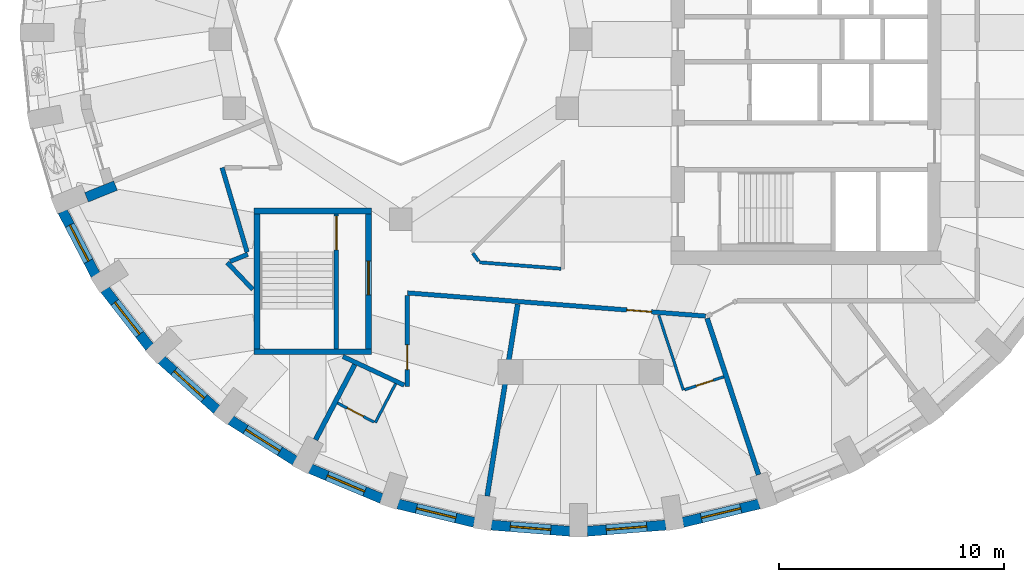
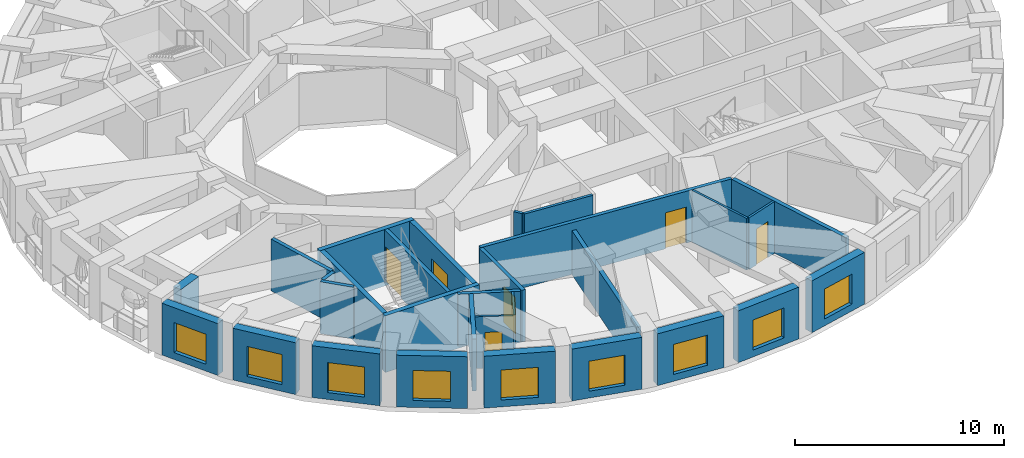
# One storey, part 3 of 12: 30 walls, 9 windows, 6 doors, 15 openings.
"""IFC4 building model written with IfcOpenShell, lengths in metres."""

from ifc_helpers import new_model, si_unit, direction, frame, frame_2d, origin, place, context, subcontext, project, spatial, rectangle, extrude, material, layer, layer_set, type_object, element, fill, save


model = new_model("IFC4")

# Units and contexts
model_context = context("Model", 3, precision=1e-05, world=origin(), true_north=direction((0.0, 1.0)))
body_context = subcontext(model_context, "Body", "Model", "MODEL_VIEW")
ifc_project = project(units=[si_unit("LENGTHUNIT", "METRE"), si_unit("AREAUNIT", "SQUARE_METRE"), si_unit("VOLUMEUNIT", "CUBIC_METRE"), si_unit("PLANEANGLEUNIT", "RADIAN"), si_unit("MASSUNIT", "GRAM", prefix="KILO")], contexts=[model_context])

# Site, building, storey
site_placement = place(None, origin())
site = spatial("IfcSite", under=ifc_project, at=site_placement, CompositionType="ELEMENT")
building_placement = place(site_placement, origin())
building = spatial("IfcBuilding", under=site, at=building_placement, Name="Taillehof Tower", CompositionType="ELEMENT")
storey_placement = place(building_placement, frame((0.0, 0.0, 239.89990234375)))
storey = spatial("IfcBuildingStorey", under=building, at=storey_placement, Name="L68", CompositionType="ELEMENT", Elevation=239.89990234375)

# Wall, opening, window
ifc_material_1 = material(Name="Brick masonry", Category="masonry")
ifc_layer_1 = layer(ifc_material_1, 0.449951171875)
ifc_layer_set_1 = layer_set([ifc_layer_1], Name="Brick infill wall 450")
wall_type_1 = type_object("IfcWallType", Name="Brick infill wall 450", PredefinedType="SOLIDWALL", material=ifc_layer_set_1)
wall_1_placement = place(storey_placement, frame((-23.010009765625, -7.6396484375, 0.0), z_axis=(0.0, 0.0, 1.0), x_axis=(0.459921155255, -0.887959757505, 0.0)))
wall_1 = element("IfcWall", 1, at=wall_1_placement, inside=storey, type_object=wall_type_1, Name="Brick wall L68 bay 21", PredefinedType="SOLIDWALL", context=body_context, shape_type="SweptSolid", body=[
    extrude(rectangle(XDim=3.185546875, YDim=0.449951171875, at=frame_2d((1.5927734375, 0.0))), origin(), (0.0, 0.0, 1.0), 3.02001953125),
])
opening_1_placement = place(wall_1_placement, frame((0.69287109375, 0.0, 0.39990234375)))
opening_1 = element("IfcOpeningElement", 2, at=opening_1_placement, cuts=wall_1, Name="Opening W4", PredefinedType="OPENING", context=body_context, shape_type="SweptSolid", body=[
    extrude(rectangle(XDim=1.800048828125, YDim=1.75, at=frame_2d((0.89990234375, 0.875))), frame((0.0, 0.23486328125, 0.0), z_axis=(0.0, -1.0, 0.0), x_axis=(1.0, 0.0, 0.0)), (0.0, 0.0, 1.0), 0.469970703125),
])
ifc_material_2 = material(Name="Aluminium window frame with clear double glazing", Category="aluminium")
window_type = type_object("IfcWindowType", Name="Deep-set window 1800x1750", PartitioningType="SINGLE_PANEL", PredefinedType="WINDOW", material=ifc_material_2)
window_1_placement = place(opening_1_placement, origin())
window_1 = element("IfcWindow", 3, at=window_1_placement, inside=storey, type_object=window_type, Name="W4", OverallHeight=1.75, OverallWidth=1.800048828125, PartitioningType="SINGLE_PANEL", PredefinedType="WINDOW", context=body_context, shape_type="SweptSolid", body=[
    extrude(rectangle(XDim=1.800048828125, YDim=1.75, at=frame_2d((0.89990234375, 0.875))), frame((0.0, 0.034912109375, 0.0), z_axis=(0.0, -1.0, 0.0), x_axis=(1.0, 0.0, 0.0)), (0.0, 0.0, 1.0), 0.06005859375),
])
fill(opening_1, window_1)

wall_2_placement = place(storey_placement, frame((-21.135009765625, -11.108642578125, 0.0), z_axis=(0.0, 0.0, 1.0), x_axis=(0.613898970825, -0.789384604372, 0.0)))
wall_2 = element("IfcWall", 4, at=wall_2_placement, inside=storey, type_object=wall_type_1, Name="Brick wall L68 bay 22", PredefinedType="SOLIDWALL", context=body_context, shape_type="SweptSolid", body=[
    extrude(rectangle(XDim=3.2470703125, YDim=0.449951171875, at=frame_2d((1.62353515625, 0.0))), origin(), (0.0, 0.0, 1.0), 3.02001953125),
])
opening_2_placement = place(wall_2_placement, frame((0.7236328125, 0.0, 0.39990234375)))
opening_2 = element("IfcOpeningElement", 5, at=opening_2_placement, cuts=wall_2, Name="Opening W4", PredefinedType="OPENING", context=body_context, shape_type="SweptSolid", body=[
    extrude(rectangle(XDim=1.800048828125, YDim=1.75, at=frame_2d((0.89990234375, 0.875))), frame((0.0, 0.23486328125, 0.0), z_axis=(0.0, -1.0, 0.0), x_axis=(1.0, 0.0, 0.0)), (0.0, 0.0, 1.0), 0.469970703125),
])
window_2_placement = place(opening_2_placement, origin())
window_2 = element("IfcWindow", 6, at=window_2_placement, inside=storey, type_object=window_type, Name="W4", OverallHeight=1.75, OverallWidth=1.800048828125, PartitioningType="SINGLE_PANEL", PredefinedType="WINDOW", context=body_context, shape_type="SweptSolid", body=[
    extrude(rectangle(XDim=1.800048828125, YDim=1.75, at=frame_2d((0.89990234375, 0.875))), frame((0.0, 0.034912109375, 0.0), z_axis=(0.0, -1.0, 0.0), x_axis=(1.0, 0.0, 0.0)), (0.0, 0.0, 1.0), 0.06005859375),
])
fill(opening_2, window_2)

wall_3_placement = place(storey_placement, frame((-18.623779296875, -14.228515625, 0.0), z_axis=(0.0, 0.0, 1.0), x_axis=(0.743166014219, -0.669107073128, 0.0)))
wall_3 = element("IfcWall", 7, at=wall_3_placement, inside=storey, type_object=wall_type_1, Name="Brick wall L68 bay 23", PredefinedType="SOLIDWALL", context=body_context, shape_type="SweptSolid", body=[
    extrude(rectangle(XDim=3.31640625, YDim=0.449951171875, at=frame_2d((1.658203125, 0.0))), origin(), (0.0, 0.0, 1.0), 3.02001953125),
])
opening_3_placement = place(wall_3_placement, frame((0.75830078125, 0.0, 0.39990234375)))
opening_3 = element("IfcOpeningElement", 8, at=opening_3_placement, cuts=wall_3, Name="Opening W4", PredefinedType="OPENING", context=body_context, shape_type="SweptSolid", body=[
    extrude(rectangle(XDim=1.800048828125, YDim=1.75, at=frame_2d((0.89990234375, 0.875))), frame((0.0, 0.23486328125, 0.0), z_axis=(0.0, -1.0, 0.0), x_axis=(1.0, 0.0, 0.0)), (0.0, 0.0, 1.0), 0.469970703125),
])
window_3_placement = place(opening_3_placement, origin())
window_3 = element("IfcWindow", 9, at=window_3_placement, inside=storey, type_object=window_type, Name="W4", OverallHeight=1.75, OverallWidth=1.800048828125, PartitioningType="SINGLE_PANEL", PredefinedType="WINDOW", context=body_context, shape_type="SweptSolid", body=[
    extrude(rectangle(XDim=1.800048828125, YDim=1.75, at=frame_2d((0.89990234375, 0.875))), frame((0.0, 0.034912109375, 0.0), z_axis=(0.0, -1.0, 0.0), x_axis=(1.0, 0.0, 0.0)), (0.0, 0.0, 1.0), 0.06005859375),
])
fill(opening_3, window_3)

wall_4_placement = place(storey_placement, frame((-15.552978515625, -16.906005859375, 0.0), z_axis=(0.0, 0.0, 1.0), x_axis=(0.845929139811, -0.53329531258, 0.0)))
wall_4 = element("IfcWall", 10, at=wall_4_placement, inside=storey, type_object=wall_type_1, Name="Brick wall L68 bay 24", PredefinedType="SOLIDWALL", context=body_context, shape_type="SweptSolid", body=[
    extrude(rectangle(XDim=3.384521484375, YDim=0.449951171875, at=frame_2d((1.6923828125, 0.0))), origin(), (0.0, 0.0, 1.0), 3.02001953125),
])
opening_4_placement = place(wall_4_placement, frame((0.792236328125, 0.0, 0.39990234375)))
opening_4 = element("IfcOpeningElement", 11, at=opening_4_placement, cuts=wall_4, Name="Opening W4", PredefinedType="OPENING", context=body_context, shape_type="SweptSolid", body=[
    extrude(rectangle(XDim=1.800048828125, YDim=1.75, at=frame_2d((0.89990234375, 0.875))), frame((0.0, 0.23486328125, 0.0), z_axis=(0.0, -1.0, 0.0), x_axis=(1.0, 0.0, 0.0)), (0.0, 0.0, 1.0), 0.469970703125),
])
window_4_placement = place(opening_4_placement, origin())
window_4 = element("IfcWindow", 12, at=window_4_placement, inside=storey, type_object=window_type, Name="W4", OverallHeight=1.75, OverallWidth=1.800048828125, PartitioningType="SINGLE_PANEL", PredefinedType="WINDOW", context=body_context, shape_type="SweptSolid", body=[
    extrude(rectangle(XDim=1.800048828125, YDim=1.75, at=frame_2d((0.89990234375, 0.875))), frame((0.0, 0.034912109375, 0.0), z_axis=(0.0, -1.0, 0.0), x_axis=(1.0, 0.0, 0.0)), (0.0, 0.0, 1.0), 0.06005859375),
])
fill(opening_4, window_4)

wall_5_placement = place(storey_placement, frame((-12.015625, -19.06201171875, 0.0), z_axis=(0.0, 0.0, 1.0), x_axis=(0.922049934692, -0.3870709469, 0.0)))
wall_5 = element("IfcWall", 13, at=wall_5_placement, inside=storey, type_object=wall_type_1, Name="Brick wall L68 bay 25", PredefinedType="SOLIDWALL", context=body_context, shape_type="SweptSolid", body=[
    extrude(rectangle(XDim=3.443115234375, YDim=0.449951171875, at=frame_2d((1.7216796875, 0.0))), origin(), (0.0, 0.0, 1.0), 3.02001953125),
])
opening_5_placement = place(wall_5_placement, frame((0.82177734375, 0.0, 0.39990234375)))
opening_5 = element("IfcOpeningElement", 14, at=opening_5_placement, cuts=wall_5, Name="Opening W4", PredefinedType="OPENING", context=body_context, shape_type="SweptSolid", body=[
    extrude(rectangle(XDim=1.800048828125, YDim=1.75, at=frame_2d((0.89990234375, 0.875))), frame((0.0, 0.23486328125, 0.0), z_axis=(0.0, -1.0, 0.0), x_axis=(1.0, 0.0, 0.0)), (0.0, 0.0, 1.0), 0.469970703125),
])
window_5_placement = place(opening_5_placement, origin())
window_5 = element("IfcWindow", 15, at=window_5_placement, inside=storey, type_object=window_type, Name="W4", OverallHeight=1.75, OverallWidth=1.800048828125, PartitioningType="SINGLE_PANEL", PredefinedType="WINDOW", context=body_context, shape_type="SweptSolid", body=[
    extrude(rectangle(XDim=1.800048828125, YDim=1.75, at=frame_2d((0.89990234375, 0.875))), frame((0.0, 0.034912109375, 0.0), z_axis=(0.0, -1.0, 0.0), x_axis=(1.0, 0.0, 0.0)), (0.0, 0.0, 1.0), 0.06005859375),
])
fill(opening_5, window_5)

wall_6_placement = place(storey_placement, frame((-8.11865234375, -20.6318359375, 0.0), z_axis=(0.0, 0.0, 1.0), x_axis=(0.972115243017, -0.234503633859, 0.0)))
wall_6 = element("IfcWall", 16, at=wall_6_placement, inside=storey, type_object=wall_type_1, Name="Brick wall L68 bay 26", PredefinedType="SOLIDWALL", context=body_context, shape_type="SweptSolid", body=[
    extrude(rectangle(XDim=3.486572265625, YDim=0.449951171875, at=frame_2d((1.7431640625, 0.0))), origin(), (0.0, 0.0, 1.0), 3.02001953125),
])
opening_6_placement = place(wall_6_placement, frame((0.84326171875, 0.0, 0.39990234375)))
opening_6 = element("IfcOpeningElement", 17, at=opening_6_placement, cuts=wall_6, Name="Opening W4", PredefinedType="OPENING", context=body_context, shape_type="SweptSolid", body=[
    extrude(rectangle(XDim=1.800048828125, YDim=1.75, at=frame_2d((0.89990234375, 0.875))), frame((0.0, 0.23486328125, 0.0), z_axis=(0.0, -1.0, 0.0), x_axis=(1.0, 0.0, 0.0)), (0.0, 0.0, 1.0), 0.469970703125),
])
window_6_placement = place(opening_6_placement, origin())
window_6 = element("IfcWindow", 18, at=window_6_placement, inside=storey, type_object=window_type, Name="W4", OverallHeight=1.75, OverallWidth=1.800048828125, PartitioningType="SINGLE_PANEL", PredefinedType="WINDOW", context=body_context, shape_type="SweptSolid", body=[
    extrude(rectangle(XDim=1.800048828125, YDim=1.75, at=frame_2d((0.89990234375, 0.875))), frame((0.0, 0.034912109375, 0.0), z_axis=(0.0, -1.0, 0.0), x_axis=(1.0, 0.0, 0.0)), (0.0, 0.0, 1.0), 0.06005859375),
])
fill(opening_6, window_6)

wall_7_placement = place(storey_placement, frame((-3.978515625, -21.56884765625, 0.0), z_axis=(0.0, 0.0, 1.0), x_axis=(0.996910775835, -0.078542377245, 0.0)))
wall_7 = element("IfcWall", 19, at=wall_7_placement, inside=storey, type_object=wall_type_1, Name="Brick wall L68 bay 27", PredefinedType="SOLIDWALL", context=body_context, shape_type="SweptSolid", body=[
    extrude(rectangle(XDim=3.50927734375, YDim=0.449951171875, at=frame_2d((1.754638671875, 0.0))), origin(), (0.0, 0.0, 1.0), 3.02001953125),
])
opening_7_placement = place(wall_7_placement, frame((0.854736328125, 0.0, 0.39990234375)))
opening_7 = element("IfcOpeningElement", 20, at=opening_7_placement, cuts=wall_7, Name="Opening W4", PredefinedType="OPENING", context=body_context, shape_type="SweptSolid", body=[
    extrude(rectangle(XDim=1.800048828125, YDim=1.75, at=frame_2d((0.89990234375, 0.875))), frame((0.0, 0.23486328125, 0.0), z_axis=(0.0, -1.0, 0.0), x_axis=(1.0, 0.0, 0.0)), (0.0, 0.0, 1.0), 0.469970703125),
])
window_7_placement = place(opening_7_placement, origin())
window_7 = element("IfcWindow", 21, at=window_7_placement, inside=storey, type_object=window_type, Name="W4", OverallHeight=1.75, OverallWidth=1.800048828125, PartitioningType="SINGLE_PANEL", PredefinedType="WINDOW", context=body_context, shape_type="SweptSolid", body=[
    extrude(rectangle(XDim=1.800048828125, YDim=1.75, at=frame_2d((0.89990234375, 0.875))), frame((0.0, 0.034912109375, 0.0), z_axis=(0.0, -1.0, 0.0), x_axis=(1.0, 0.0, 0.0)), (0.0, 0.0, 1.0), 0.06005859375),
])
fill(opening_7, window_7)

wall_8_placement = place(storey_placement, frame((0.280029296875, -21.844482421875, 0.0), z_axis=(0.0, 0.0, 1.0), x_axis=(0.996910775835, 0.078542377245, 0.0)))
wall_8 = element("IfcWall", 22, at=wall_8_placement, inside=storey, type_object=wall_type_1, Name="Brick wall L68 bay 28", PredefinedType="SOLIDWALL", context=body_context, shape_type="SweptSolid", body=[
    extrude(rectangle(XDim=3.50927734375, YDim=0.449951171875, at=frame_2d((1.754638671875, 0.0))), origin(), (0.0, 0.0, 1.0), 3.02001953125),
])
opening_8_placement = place(wall_8_placement, frame((0.854736328125, 0.0, 0.39990234375)))
opening_8 = element("IfcOpeningElement", 23, at=opening_8_placement, cuts=wall_8, Name="Opening W4", PredefinedType="OPENING", context=body_context, shape_type="SweptSolid", body=[
    extrude(rectangle(XDim=1.800048828125, YDim=1.75, at=frame_2d((0.89990234375, 0.875))), frame((0.0, 0.23486328125, 0.0), z_axis=(0.0, -1.0, 0.0), x_axis=(1.0, 0.0, 0.0)), (0.0, 0.0, 1.0), 0.469970703125),
])
window_8_placement = place(opening_8_placement, origin())
window_8 = element("IfcWindow", 24, at=window_8_placement, inside=storey, type_object=window_type, Name="W4", OverallHeight=1.75, OverallWidth=1.800048828125, PartitioningType="SINGLE_PANEL", PredefinedType="WINDOW", context=body_context, shape_type="SweptSolid", body=[
    extrude(rectangle(XDim=1.800048828125, YDim=1.75, at=frame_2d((0.89990234375, 0.875))), frame((0.0, 0.034912109375, 0.0), z_axis=(0.0, -1.0, 0.0), x_axis=(1.0, 0.0, 0.0)), (0.0, 0.0, 1.0), 0.06005859375),
])
fill(opening_8, window_8)

wall_9_placement = place(storey_placement, frame((4.529296875, -21.449462890625, 0.0), z_axis=(0.0, 0.0, 1.0), x_axis=(0.972115243017, 0.234503633859, 0.0)))
wall_9 = element("IfcWall", 25, at=wall_9_placement, inside=storey, type_object=wall_type_1, Name="Brick wall L68 bay 29", PredefinedType="SOLIDWALL", context=body_context, shape_type="SweptSolid", body=[
    extrude(rectangle(XDim=3.486572265625, YDim=0.449951171875, at=frame_2d((1.7431640625, 0.0))), origin(), (0.0, 0.0, 1.0), 3.02001953125),
])
opening_9_placement = place(wall_9_placement, frame((0.84326171875, 0.0, 0.39990234375)))
opening_9 = element("IfcOpeningElement", 26, at=opening_9_placement, cuts=wall_9, Name="Opening W4", PredefinedType="OPENING", context=body_context, shape_type="SweptSolid", body=[
    extrude(rectangle(XDim=1.800048828125, YDim=1.75, at=frame_2d((0.89990234375, 0.875))), frame((0.0, 0.23486328125, 0.0), z_axis=(0.0, -1.0, 0.0), x_axis=(1.0, 0.0, 0.0)), (0.0, 0.0, 1.0), 0.469970703125),
])
window_9_placement = place(opening_9_placement, origin())
window_9 = element("IfcWindow", 27, at=window_9_placement, inside=storey, type_object=window_type, Name="W4", OverallHeight=1.75, OverallWidth=1.800048828125, PartitioningType="SINGLE_PANEL", PredefinedType="WINDOW", context=body_context, shape_type="SweptSolid", body=[
    extrude(rectangle(XDim=1.800048828125, YDim=1.75, at=frame_2d((0.89990234375, 0.875))), frame((0.0, 0.034912109375, 0.0), z_axis=(0.0, -1.0, 0.0), x_axis=(1.0, 0.0, 0.0)), (0.0, 0.0, 1.0), 0.06005859375),
])
fill(opening_9, window_9)

# Wall
wall_10_placement = place(storey_placement, frame((-21.947998046875, -7.016845703125, 0.0), z_axis=(0.0, 0.0, 1.0), x_axis=(0.927577935879, 0.373629726964, 0.0)))
element("IfcWall", 28, at=wall_10_placement, inside=storey, type_object=wall_type_1, Name="Brick reveal L68 pocket 5", PredefinedType="SOLIDWALL", context=body_context, shape_type="SweptSolid", body=[
    extrude(rectangle(XDim=1.390380859375, YDim=0.449951171875, at=frame_2d((0.6953125, 0.0))), origin(), (0.0, 0.0, 1.0), 3.02001953125),
])

# Wall, opening, door
ifc_material_3 = material(Name="Gypsum board on steel studs, two layers each side", Category="steel")
ifc_layer_2 = layer(ifc_material_3, 0.199951171875)
ifc_layer_set_2 = layer_set([ifc_layer_2], Name="Compartment wall corridor 200")
wall_type_2 = type_object("IfcWallType", Name="Compartment wall corridor 200", PredefinedType="PARTITIONING", material=ifc_layer_set_2)
wall_11_placement = place(storey_placement, frame((5.54248046875, -12.289794921875, 0.0), z_axis=(0.0, 0.0, 1.0), x_axis=(-0.996994281558, 0.077475173702, 0.0)))
wall_11 = element("IfcWall", 29, at=wall_11_placement, inside=storey, type_object=wall_type_2, Name="Compartment wall", PredefinedType="PARTITIONING", context=body_context, shape_type="SweptSolid", body=[
    extrude(rectangle(XDim=13.282470703125, YDim=0.199951171875, at=frame_2d((6.64111328125, 0.0))), origin(), (0.0, 0.0, 1.0), 3.02001953125),
])
opening_10_placement = place(wall_11_placement, frame((2.411865234375, 0.0, 0.0)))
opening_10 = element("IfcOpeningElement", 30, at=opening_10_placement, cuts=wall_11, Name="Opening D6850", PredefinedType="OPENING", context=body_context, shape_type="SweptSolid", body=[
    extrude(rectangle(XDim=1.10009765625, YDim=2.10009765625, at=frame_2d((0.550048828125, 1.050048828125))), frame((0.0, 0.10986328125, 0.0), z_axis=(0.0, -1.0, 0.0), x_axis=(1.0, 0.0, 0.0)), (0.0, 0.0, 1.0), 0.219970703125),
])
ifc_material_4 = material(Name="Timber door leaf in steel frame", Category="steel")
door_type_1 = type_object("IfcDoorType", Name="Suite entrance door EI 30 1100 x 2100", OperationType="SINGLE_SWING_LEFT", PredefinedType="DOOR", material=ifc_material_4)
door_1_placement = place(opening_10_placement, origin())
door_1 = element("IfcDoor", 31, at=door_1_placement, inside=storey, type_object=door_type_1, Name="D6850", OperationType="SINGLE_SWING_LEFT", OverallHeight=2.10009765625, OverallWidth=1.10009765625, PredefinedType="DOOR", context=body_context, shape_type="SweptSolid", body=[
    extrude(rectangle(XDim=1.10009765625, YDim=2.10009765625, at=frame_2d((0.550048828125, 1.050048828125))), frame((0.0, 0.02490234375, 0.0), z_axis=(0.0, -1.0, 0.0), x_axis=(1.0, 0.0, 0.0)), (0.0, 0.0, 1.0), 0.050048828125),
])
fill(opening_10, door_1)

wall_12_placement = place(storey_placement, frame((-7.699951171875, -11.380859375, 0.0), z_axis=(0.0, 0.0, 1.0), x_axis=(0.0, -1.0, 0.0)))
wall_12 = element("IfcWall", 32, at=wall_12_placement, inside=storey, type_object=wall_type_2, Name="Compartment wall", PredefinedType="PARTITIONING", context=body_context, shape_type="SweptSolid", body=[
    extrude(rectangle(XDim=4.043212890625, YDim=0.199951171875, at=frame_2d((2.021484375, 0.0))), origin(), (0.0, 0.0, 1.0), 3.02001953125),
])
opening_11_placement = place(wall_12_placement, frame((2.188720703125, 0.0, 0.0)))
opening_11 = element("IfcOpeningElement", 33, at=opening_11_placement, cuts=wall_12, Name="Opening D6848", PredefinedType="OPENING", context=body_context, shape_type="SweptSolid", body=[
    extrude(rectangle(XDim=1.10009765625, YDim=2.10009765625, at=frame_2d((0.550048828125, 1.050048828125))), frame((0.0, 0.10986328125, 0.0), z_axis=(0.0, -1.0, 0.0), x_axis=(1.0, 0.0, 0.0)), (0.0, 0.0, 1.0), 0.219970703125),
])
door_2_placement = place(opening_11_placement, origin())
door_2 = element("IfcDoor", 34, at=door_2_placement, inside=storey, type_object=door_type_1, Name="D6848", OperationType="SINGLE_SWING_LEFT", OverallHeight=2.10009765625, OverallWidth=1.10009765625, PredefinedType="DOOR", context=body_context, shape_type="SweptSolid", body=[
    extrude(rectangle(XDim=1.10009765625, YDim=2.10009765625, at=frame_2d((0.550048828125, 1.050048828125))), frame((0.0, 0.02490234375, 0.0), z_axis=(0.0, -1.0, 0.0), x_axis=(1.0, 0.0, 0.0)), (0.0, 0.0, 1.0), 0.050048828125),
])
fill(opening_11, door_2)

# Walls
wall_13_placement = place(storey_placement, frame((-7.844482421875, -15.355712890625, 0.0), z_axis=(0.0, 0.0, 1.0), x_axis=(-0.90567561184, 0.423971327001, 0.0)))
element("IfcWall", 35, at=wall_13_placement, inside=storey, type_object=wall_type_2, Name="Compartment wall", PredefinedType="PARTITIONING", context=body_context, shape_type="SweptSolid", body=[
    extrude(rectangle(XDim=3.00244140625, YDim=0.199951171875, at=frame_2d((1.501220703125, 0.0))), origin(), (0.0, 0.0, 1.0), 3.02001953125),
])
wall_14_placement = place(storey_placement, frame((-14.562744140625, -11.11083984375, 0.0), z_axis=(0.0, 0.0, 1.0), x_axis=(-0.688574238414, 0.725165855645, 0.0)))
element("IfcWall", 36, at=wall_14_placement, inside=storey, type_object=wall_type_2, Name="Compartment wall", PredefinedType="PARTITIONING", context=body_context, shape_type="SweptSolid", body=[
    extrude(rectangle(XDim=1.64794921875, YDim=0.199951171875, at=frame_2d((0.823974609375, 0.0))), origin(), (0.0, 0.0, 1.0), 3.02001953125),
])
wall_15_placement = place(storey_placement, frame((-15.567626953125, -9.86279296875, 0.0), z_axis=(0.0, 0.0, 1.0), x_axis=(0.92779485846, 0.373090740457, 0.0)))
element("IfcWall", 37, at=wall_15_placement, inside=storey, type_object=wall_type_2, Name="Compartment wall", PredefinedType="PARTITIONING", context=body_context, shape_type="SweptSolid", body=[
    extrude(rectangle(XDim=0.841552734375, YDim=0.199951171875, at=frame_2d((0.4208984375, 0.0))), origin(), (0.0, 0.0, 1.0), 3.02001953125),
])
wall_16_placement = place(storey_placement, frame((-14.81494140625, -9.452392578125, 0.0), z_axis=(0.0, 0.0, 1.0), x_axis=(-0.284600079658, 0.958646334504, 0.0)))
element("IfcWall", 38, at=wall_16_placement, inside=storey, type_object=wall_type_2, Name="Compartment wall", PredefinedType="PARTITIONING", context=body_context, shape_type="SweptSolid", body=[
    extrude(rectangle(XDim=3.914306640625, YDim=0.199951171875, at=frame_2d((1.95703125, 0.0))), origin(), (0.0, 0.0, 1.0), 3.02001953125),
])
ifc_material_5 = material(Name="Gypsum board on double steel studs with mineral wool", Category="steel")
ifc_layer_3 = layer(ifc_material_5, 0.219970703125)
ifc_layer_set_3 = layer_set([ifc_layer_3], Name="Compartment wall guest room 220")
wall_type_3 = type_object("IfcWallType", Name="Compartment wall guest room 220", PredefinedType="PARTITIONING", material=ifc_layer_set_3)
wall_17_placement = place(storey_placement, frame((-11.7783203125, -17.784423828125, 0.0), z_axis=(0.0, 0.0, 1.0), x_axis=(0.462428808932, 0.886656414103, 0.0)))
element("IfcWall", 39, at=wall_17_placement, inside=storey, type_object=wall_type_3, Name="Compartment wall", PredefinedType="PARTITIONING", context=body_context, shape_type="SweptSolid", body=[
    extrude(rectangle(XDim=3.770751953125, YDim=0.219970703125, at=frame_2d((1.88525390625, 0.0))), origin(), (0.0, 0.0, 1.0), 3.02001953125),
])
wall_18_placement = place(storey_placement, frame((-4.158203125, -20.280517578125, 0.0), z_axis=(0.0, 0.0, 1.0), x_axis=(0.157248675007, 0.987559038341, 0.0)))
element("IfcWall", 40, at=wall_18_placement, inside=storey, type_object=wall_type_3, Name="Compartment wall", PredefinedType="PARTITIONING", context=body_context, shape_type="SweptSolid", body=[
    extrude(rectangle(XDim=8.626220703125, YDim=0.219970703125, at=frame_2d((4.31298828125, 0.0))), origin(), (0.0, 0.0, 1.0), 2.570068359375),
])
wall_19_placement = place(storey_placement, frame((7.891357421875, -19.331787109375, 0.0), z_axis=(0.0, 0.0, 1.0), x_axis=(-0.312264049527, 0.949995349132, 0.0)))
element("IfcWall", 41, at=wall_19_placement, inside=storey, type_object=wall_type_3, Name="Compartment wall", PredefinedType="PARTITIONING", context=body_context, shape_type="SweptSolid", body=[
    extrude(rectangle(XDim=7.303955078125, YDim=0.219970703125, at=frame_2d((3.65185546875, 0.0))), origin(), (0.0, 0.0, 1.0), 3.02001953125),
])
ifc_material_6 = material(Name="Gypsum board on steel studs, two layers each side", Category="steel")
ifc_layer_4 = layer(ifc_material_6, 0.14990234375)
ifc_layer_set_4 = layer_set([ifc_layer_4], Name="Compartment wall service room 150")
wall_type_4 = type_object("IfcWallType", Name="Compartment wall service room 150", PredefinedType="PARTITIONING", material=ifc_layer_set_4)
wall_20_placement = place(storey_placement, frame((-0.880126953125, -10.18603515625, 0.0), z_axis=(0.0, 0.0, 1.0), x_axis=(-0.996990060313, 0.077529475925, 0.0)))
element("IfcWall", 42, at=wall_20_placement, inside=storey, type_object=wall_type_4, Name="Compartment wall", PredefinedType="PARTITIONING", context=body_context, shape_type="SweptSolid", body=[
    extrude(rectangle(XDim=3.630859375, YDim=0.14990234375, at=frame_2d((1.8154296875, 0.0))), origin(), (0.0, 0.0, 1.0), 3.02001953125),
])
wall_21_placement = place(storey_placement, frame((-4.53515625, -9.856201171875, 0.0), z_axis=(0.0, 0.0, 1.0), x_axis=(-0.583807558681, 0.811892070676, 0.0)))
element("IfcWall", 43, at=wall_21_placement, inside=storey, type_object=wall_type_4, Name="Compartment wall", PredefinedType="PARTITIONING", context=body_context, shape_type="SweptSolid", body=[
    extrude(rectangle(XDim=0.43994140625, YDim=0.14990234375, at=frame_2d((0.219970703125, 0.0))), origin(), (0.0, 0.0, 1.0), 3.02001953125),
])
ifc_material_7 = material(Name="Gypsum board on steel studs, moisture resistant", Category="steel")
ifc_layer_5 = layer(ifc_material_7, 0.1201171875)
ifc_layer_set_5 = layer_set([ifc_layer_5], Name="En-suite wall 120")
wall_type_5 = type_object("IfcWallType", Name="En-suite wall 120", PredefinedType="PARTITIONING", material=ifc_layer_set_5)
wall_22_placement = place(storey_placement, frame((-8.221923828125, -15.2900390625, 0.0), z_axis=(0.0, 0.0, 1.0), x_axis=(-0.46232711024, -0.886709446853, 0.0)))
element("IfcWall", 44, at=wall_22_placement, inside=storey, type_object=wall_type_5, Name="En-suite wall", PredefinedType="PARTITIONING", context=body_context, shape_type="SweptSolid", body=[
    extrude(rectangle(XDim=1.9560546875, YDim=0.1201171875, at=frame_2d((0.97802734375, 0.0))), origin(), (0.0, 0.0, 1.0), 3.02001953125),
])
wall_23_placement = place(storey_placement, frame((3.456787109375, -12.246337890625, 0.0), z_axis=(0.0, 0.0, 1.0), x_axis=(0.312255646562, -0.949998111151, 0.0)))
element("IfcWall", 45, at=wall_23_placement, inside=storey, type_object=wall_type_5, Name="En-suite wall", PredefinedType="PARTITIONING", context=body_context, shape_type="SweptSolid", body=[
    extrude(rectangle(XDim=3.505859375, YDim=0.1201171875, at=frame_2d((1.7529296875, 0.0))), origin(), (0.0, 0.0, 1.0), 3.02001953125),
])

# Wall, opening, door
wall_24_placement = place(storey_placement, frame((-9.1796875, -16.99658203125, 0.0), z_axis=(0.0, 0.0, 1.0), x_axis=(-0.886720410479, 0.462306082201, 0.0)))
wall_24 = element("IfcWall", 46, at=wall_24_placement, inside=storey, type_object=wall_type_5, Name="En-suite wall", PredefinedType="PARTITIONING", context=body_context, shape_type="SweptSolid", body=[
    extrude(rectangle(XDim=1.829833984375, YDim=0.1201171875, at=frame_2d((0.9150390625, 0.0))), origin(), (0.0, 0.0, 1.0), 3.02001953125),
])
opening_12_placement = place(wall_24_placement, frame((0.539794921875, 0.0, 0.0)))
opening_12 = element("IfcOpeningElement", 47, at=opening_12_placement, cuts=wall_24, Name="Opening D6849", PredefinedType="OPENING", context=body_context, shape_type="SweptSolid", body=[
    extrude(rectangle(XDim=0.800048828125, YDim=2.10009765625, at=frame_2d((0.39990234375, 1.050048828125))), frame((0.0, 0.070068359375, 0.0), z_axis=(0.0, -1.0, 0.0), x_axis=(1.0, 0.0, 0.0)), (0.0, 0.0, 1.0), 0.14013671875),
])
ifc_material_8 = material(Name="Timber door leaf in steel frame", Category="steel")
door_type_2 = type_object("IfcDoorType", Name="En-suite door 800 x 2100", OperationType="SINGLE_SWING_LEFT", PredefinedType="DOOR", material=ifc_material_8)
door_3_placement = place(opening_12_placement, origin())
door_3 = element("IfcDoor", 48, at=door_3_placement, inside=storey, type_object=door_type_2, Name="D6849", OperationType="SINGLE_SWING_RIGHT", OverallHeight=2.10009765625, OverallWidth=0.800048828125, PredefinedType="DOOR", context=body_context, shape_type="SweptSolid", body=[
    extrude(rectangle(XDim=0.800048828125, YDim=2.10009765625, at=frame_2d((0.39990234375, 1.050048828125))), frame((0.0, 0.02490234375, 0.0), z_axis=(0.0, -1.0, 0.0), x_axis=(1.0, 0.0, 0.0)), (0.0, 0.0, 1.0), 0.050048828125),
])
fill(opening_12, door_3)

wall_25_placement = place(storey_placement, frame((4.6083984375, -15.55810546875, 0.0), z_axis=(0.0, 0.0, 1.0), x_axis=(0.949995576072, 0.312263359111, 0.0)))
wall_25 = element("IfcWall", 49, at=wall_25_placement, inside=storey, type_object=wall_type_5, Name="En-suite wall", PredefinedType="PARTITIONING", context=body_context, shape_type="SweptSolid", body=[
    extrude(rectangle(XDim=1.830322265625, YDim=0.1201171875, at=frame_2d((0.9150390625, 0.0))), origin(), (0.0, 0.0, 1.0), 3.02001953125),
])
opening_13_placement = place(wall_25_placement, frame((0.540283203125, 0.0, 0.0)))
opening_13 = element("IfcOpeningElement", 50, at=opening_13_placement, cuts=wall_25, Name="Opening D6851", PredefinedType="OPENING", context=body_context, shape_type="SweptSolid", body=[
    extrude(rectangle(XDim=0.800048828125, YDim=2.10009765625, at=frame_2d((0.39990234375, 1.050048828125))), frame((0.0, 0.070068359375, 0.0), z_axis=(0.0, -1.0, 0.0), x_axis=(1.0, 0.0, 0.0)), (0.0, 0.0, 1.0), 0.14013671875),
])
door_4_placement = place(opening_13_placement, origin())
door_4 = element("IfcDoor", 51, at=door_4_placement, inside=storey, type_object=door_type_2, Name="D6851", OperationType="SINGLE_SWING_LEFT", OverallHeight=2.10009765625, OverallWidth=0.800048828125, PredefinedType="DOOR", context=body_context, shape_type="SweptSolid", body=[
    extrude(rectangle(XDim=0.800048828125, YDim=2.10009765625, at=frame_2d((0.39990234375, 1.050048828125))), frame((0.0, 0.02490234375, 0.0), z_axis=(0.0, -1.0, 0.0), x_axis=(1.0, 0.0, 0.0)), (0.0, 0.0, 1.0), 0.050048828125),
])
fill(opening_13, door_4)

ifc_material_9 = material(Name="Concrete C50/60", Category="concrete")
ifc_layer_6 = layer(ifc_material_9, 0.199951171875)
ifc_layer_set_6 = layer_set([ifc_layer_6], Name="Shaft wall C50/60 200")
wall_type_6 = type_object("IfcWallType", Name="Shaft wall C50/60 200", PredefinedType="SHEAR", material=ifc_layer_set_6)
wall_26_placement = place(storey_placement, frame((-10.85009765625, -13.75, 0.0), z_axis=(0.0, 0.0, 1.0), x_axis=(0.0, 1.0, 0.0)))
wall_26 = element("IfcWall", 52, at=wall_26_placement, inside=storey, type_object=wall_type_6, Name="Shaft wall SW", PredefinedType="SHEAR", context=body_context, shape_type="SweptSolid", body=[
    extrude(rectangle(XDim=6.0, YDim=0.199951171875, at=frame_2d((3.0, 0.0))), origin(), (0.0, 0.0, 1.0), 3.02001953125),
])
opening_14_placement = place(wall_26_placement, frame((4.39990234375, 0.0, 0.0)))
opening_14 = element("IfcOpeningElement", 53, at=opening_14_placement, cuts=wall_26, Name="Opening D6813", PredefinedType="OPENING", context=body_context, shape_type="SweptSolid", body=[
    extrude(rectangle(XDim=1.5, YDim=2.10009765625, at=frame_2d((0.75, 1.050048828125))), frame((0.0, 0.10986328125, 0.0), z_axis=(0.0, -1.0, 0.0), x_axis=(1.0, 0.0, 0.0)), (0.0, 0.0, 1.0), 0.219970703125),
])
ifc_material_10 = material(Name="Steel-faced fire door", Category="steel")
door_type_3 = type_object("IfcDoorType", Name="Stair door 1500x2100", OperationType="DOUBLE_DOOR_SINGLE_SWING", PredefinedType="DOOR", material=ifc_material_10)
door_5_placement = place(opening_14_placement, origin())
door_5 = element("IfcDoor", 54, at=door_5_placement, inside=storey, type_object=door_type_3, Name="Stair lobby door S4", OperationType="DOUBLE_DOOR_SINGLE_SWING", OverallHeight=2.10009765625, OverallWidth=1.5, PredefinedType="DOOR", context=body_context, shape_type="SweptSolid", body=[
    extrude(rectangle(XDim=1.5, YDim=2.10009765625, at=frame_2d((0.75, 1.050048828125))), frame((0.0, 0.02490234375, 0.0), z_axis=(0.0, -1.0, 0.0), x_axis=(1.0, 0.0, 0.0)), (0.0, 0.0, 1.0), 0.050048828125),
])
fill(opening_14, door_5)

# Wall
ifc_material_11 = material(Name="Concrete C50/60", Category="concrete")
ifc_layer_7 = layer(ifc_material_11, 0.25)
ifc_layer_set_7 = layer_set([ifc_layer_7], Name="Stair wall C50/60 250")
wall_type_7 = type_object("IfcWallType", Name="Stair wall C50/60 250", PredefinedType="SHEAR", material=ifc_layer_set_7)
wall_27_placement = place(storey_placement, frame((-14.375, -13.75, -0.27978515625), z_axis=(0.0, 0.0, 1.0), x_axis=(0.0, 1.0, 0.0)))
element("IfcWall", 55, at=wall_27_placement, inside=storey, type_object=wall_type_7, Name="Stair wall SC", PredefinedType="SHEAR", context=body_context, shape_type="SweptSolid", body=[
    extrude(rectangle(XDim=6.0, YDim=0.25, at=frame_2d((3.0, 0.0))), origin(), (0.0, 0.0, 1.0), 3.2998046875),
])

# Wall, opening, door
wall_28_placement = place(storey_placement, frame((-9.425048828125, -13.75, -0.27978515625), z_axis=(0.0, 0.0, 1.0), x_axis=(0.0, 1.0, 0.0)))
wall_28 = element("IfcWall", 56, at=wall_28_placement, inside=storey, type_object=wall_type_7, Name="Stair wall SC", PredefinedType="SHEAR", context=body_context, shape_type="SweptSolid", body=[
    extrude(rectangle(XDim=6.0, YDim=0.25, at=frame_2d((3.0, 0.0))), origin(), (0.0, 0.0, 1.0), 3.2998046875),
])
opening_15_placement = place(wall_28_placement, frame((2.39990234375, 0.0, 0.280029296875)))
opening_15 = element("IfcOpeningElement", 57, at=opening_15_placement, cuts=wall_28, Name="Opening D6816", PredefinedType="OPENING", context=body_context, shape_type="SweptSolid", body=[
    extrude(rectangle(XDim=1.5, YDim=2.10009765625, at=frame_2d((0.75, 1.050048828125))), frame((0.0, 0.135009765625, 0.0), z_axis=(0.0, -1.0, 0.0), x_axis=(1.0, 0.0, 0.0)), (0.0, 0.0, 1.0), 0.27001953125),
])
door_6_placement = place(opening_15_placement, origin())
door_6 = element("IfcDoor", 58, at=door_6_placement, inside=storey, type_object=door_type_3, Name="Stair door S4", OperationType="DOUBLE_DOOR_SINGLE_SWING", OverallHeight=2.10009765625, OverallWidth=1.5, PredefinedType="DOOR", context=body_context, shape_type="SweptSolid", body=[
    extrude(rectangle(XDim=1.5, YDim=2.10009765625, at=frame_2d((0.75, 1.050048828125))), frame((0.0, 0.02490234375, 0.0), z_axis=(0.0, -1.0, 0.0), x_axis=(1.0, 0.0, 0.0)), (0.0, 0.0, 1.0), 0.050048828125),
])
fill(opening_15, door_6)

# Walls
for number, where, z_axis, x_axis, name in (
    (59, (-14.5, -7.625, -0.27978515625), (0.0, 0.0, 1.0), (1.0, 0.0, 0.0), "Stair wall SC"),
    (60, (-14.5, -13.875, -0.27978515625), (0.0, 0.0, 1.0), (1.0, 0.0, 0.0), "Stair wall SC"),
):
    element("IfcWall", number, at=place(storey_placement, frame(where, z_axis=z_axis, x_axis=x_axis)), inside=storey, type_object=wall_type_7, Name=name, PredefinedType="SHEAR", context=body_context, shape_type="SweptSolid", body=[
        extrude(rectangle(XDim=5.199951171875, YDim=0.25, at=frame_2d((2.60009765625, 0.0))), origin(), (0.0, 0.0, 1.0), 3.2998046875),
    ])

save(model, "model.ifc")
